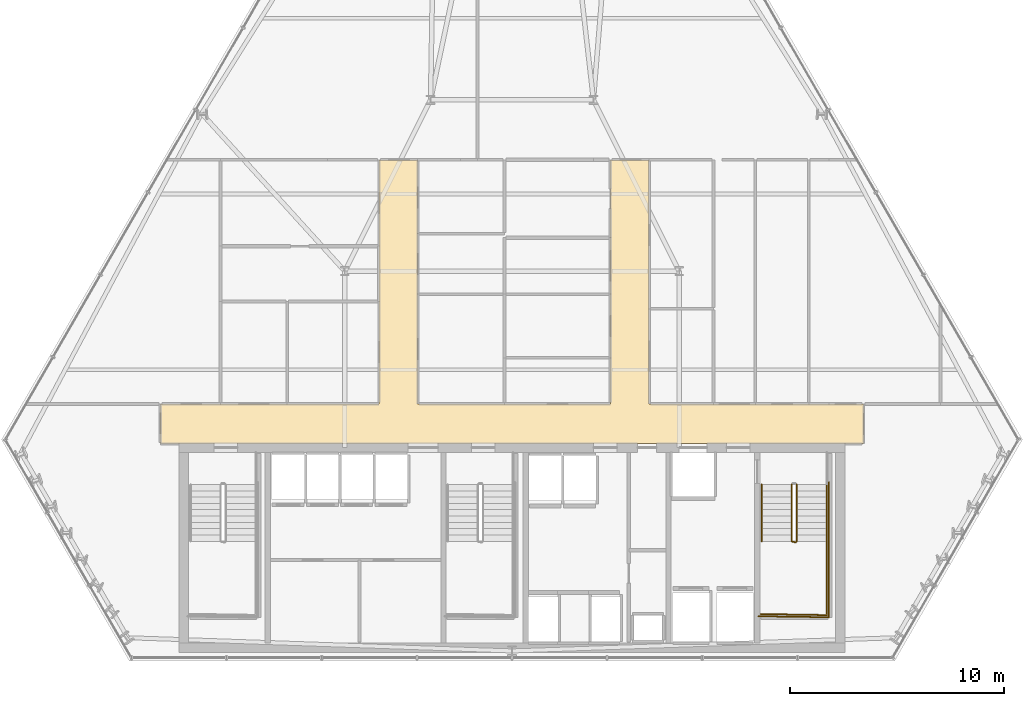
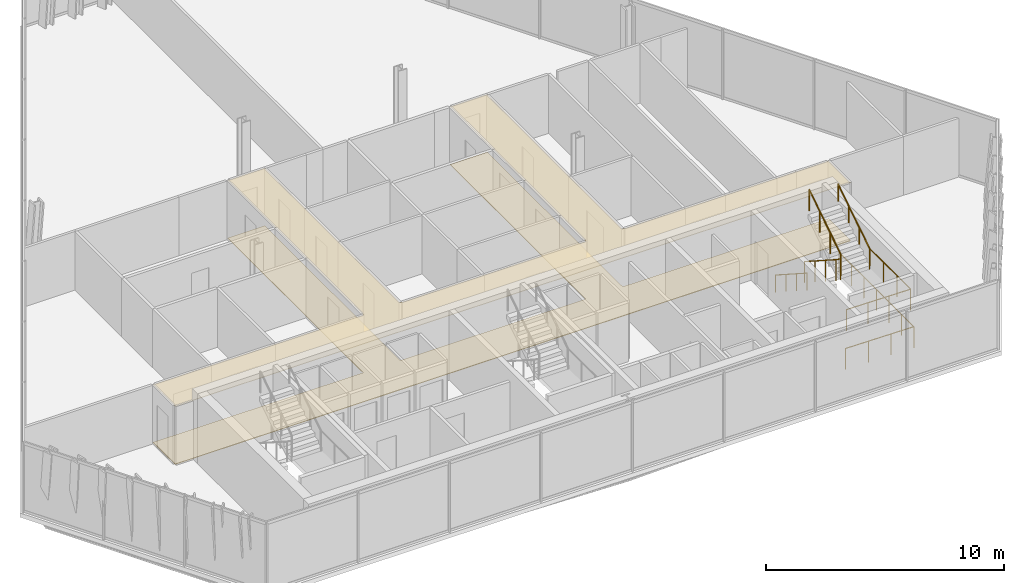
# One storey, part 30 of 31: 6 railings, 2 coverings.
"""IFC4 building model written with IfcOpenShell, lengths in metres."""

from ifc_helpers import new_model, si_unit, direction, frame, origin, origin_2d, place, context, subcontext, project, spatial, polyline, circle, outline, extrude, material, layer, layer_set, type_object, element, save


model = new_model("IFC4")

# Units and contexts
model_context = context("Model", 3, precision=1e-05, world=origin(), true_north=direction((0.0, 1.0)))
body_context = subcontext(model_context, "Body", "Model", "MODEL_VIEW")
ifc_project = project(units=[si_unit("LENGTHUNIT", "METRE"), si_unit("AREAUNIT", "SQUARE_METRE"), si_unit("VOLUMEUNIT", "CUBIC_METRE"), si_unit("PLANEANGLEUNIT", "RADIAN"), si_unit("MASSUNIT", "GRAM", prefix="KILO")], contexts=[model_context])

# Site, building, storey
site_placement = place(None, origin())
site = spatial("IfcSite", under=ifc_project, at=site_placement, CompositionType="ELEMENT")
building_placement = place(site_placement, origin())
building = spatial("IfcBuilding", under=site, at=building_placement, Name="Ndaravel Arena Tower", CompositionType="ELEMENT")
storey_placement = place(building_placement, frame((0.0, 0.0, 146.0)))
storey = spatial("IfcBuildingStorey", under=building, at=storey_placement, Name="L34", CompositionType="ELEMENT", Elevation=146.0)

# Coverings
ifc_material_1 = material(Name="Acoustic Ceiling Tile", Category="finish")
ifc_layer_1 = layer(ifc_material_1, 0.02490234375)
ifc_layer_set_1 = layer_set([ifc_layer_1], Name="Acoustic Ceiling Tile")
covering_type_1 = type_object("IfcCoveringType", Name="COV-CEIL-AC600", PredefinedType="CEILING", material=ifc_layer_set_1)
covering_1_placement = place(storey_placement, frame((0.0, 0.0, 2.98046875)))
element("IfcCovering", 1, at=covering_1_placement, inside=storey, type_object=covering_type_1, Name="L34 Corridor Acoustic Ceiling", PredefinedType="CEILING", context=body_context, shape_type="SweptSolid", body=[
    extrude(outline(polyline([(58.39990234375, 17.0), (48.39990234375, 17.0), (48.39990234375, 28.39990234375), (46.60009765625, 28.39990234375), (46.60009765625, 17.0), (37.60009765625, 17.0), (37.60009765625, 28.39990234375), (35.800048828125, 28.39990234375), (35.800048828125, 17.0), (25.60009765625, 17.0), (25.60009765625, 15.14990234375), (58.39990234375, 15.14990234375), (58.39990234375, 17.0)])), origin(), (0.0, 0.0, 1.0), 0.025146484375),
])
ifc_material_2 = material(Name="Terrazzo", Category="stone")
ifc_layer_2 = layer(ifc_material_2, 0.030029296875)
ifc_layer_set_2 = layer_set([ifc_layer_2], Name="Terrazzo")
covering_type_2 = type_object("IfcCoveringType", Name="COV-FLOOR-TERRAZZO", PredefinedType="FLOORING", material=ifc_layer_set_2)
covering_2_placement = place(storey_placement, origin())
element("IfcCovering", 2, at=covering_2_placement, inside=storey, type_object=covering_type_2, Name="L34 Corridor Terrazzo Flooring", PredefinedType="FLOORING", context=body_context, shape_type="SweptSolid", body=[
    extrude(outline(polyline([(58.39990234375, 17.0), (48.39990234375, 17.0), (48.39990234375, 28.39990234375), (46.60009765625, 28.39990234375), (46.60009765625, 17.0), (37.60009765625, 17.0), (37.60009765625, 28.39990234375), (35.800048828125, 28.39990234375), (35.800048828125, 17.0), (25.60009765625, 17.0), (25.60009765625, 15.14990234375), (58.39990234375, 15.14990234375), (58.39990234375, 17.0)])), origin(), (0.0, 0.0, 1.0), 0.030029296875),
])

# Railings
ifc_material_3 = material(Name="Steel S355", Category="steel")
ifc_layer_3 = layer(ifc_material_3, 0.06005859375)
ifc_layer_set_3 = layer_set([ifc_layer_3], Name="Steel S355")
railing_type_1 = type_object("IfcRailingType", Name="RAIL-STAIR-GD1100", PredefinedType="GUARDRAIL", material=ifc_layer_set_3)
railing_1_placement = place(storey_placement, frame((55.050048828125, 13.25, 0.18994140625)))
element("IfcRailing", 3, at=railing_1_placement, inside=storey, type_object=railing_type_1, Name="L34 ST-3 stair guard 1", PredefinedType="GUARDRAIL", context=body_context, shape_type="SweptSolid", body=[
    extrude(circle(Radius=0.02392578125, at=origin_2d()), frame((0.0, 0.0, 1.076171875), z_axis=(0.0, -0.840723540582, 0.54146461409), x_axis=(1.0, 0.0, 0.0)), (0.0, 0.0, 1.0), 3.157958984375),
    extrude(circle(Radius=0.02392578125, at=origin_2d()), frame((0.0, -2.655029296875, 2.7861328125), z_axis=(0.966993988697, -0.254799187253, 0.0), x_axis=(0.254799187253, 0.966993988697, 0.0)), (0.0, 0.0, 1.0), 0.196533203125),
    extrude(circle(Radius=0.02099609375, at=origin_2d()), origin(), (0.0, 0.0, 1.0), 1.052001953125),
    extrude(circle(Radius=0.02099609375, at=origin_2d()), frame((0.0, -0.885009765625, 0.570068359375)), (0.0, 0.0, 1.0), 1.052001953125),
    extrude(circle(Radius=0.02099609375, at=origin_2d()), frame((0.0, -1.77001953125, 1.139892578125)), (0.0, 0.0, 1.0), 1.052001953125),
    extrude(circle(Radius=0.02099609375, at=origin_2d()), frame((0.0, -2.655029296875, 1.7099609375)), (0.0, 0.0, 1.0), 1.052001953125),
    extrude(circle(Radius=0.02099609375, at=origin_2d()), frame((0.18994140625, -2.705078125, 1.7099609375)), (0.0, 0.0, 1.0), 1.052001953125),
])
railing_2_placement = place(storey_placement, frame((56.68994140625, 10.594970703125, 1.89990234375)))
element("IfcRailing", 4, at=railing_2_placement, inside=storey, type_object=railing_type_1, Name="L34 ST-3 stair guard 2", PredefinedType="GUARDRAIL", context=body_context, shape_type="SweptSolid", body=[
    extrude(circle(Radius=0.02392578125, at=origin_2d()), frame((0.0, 0.0, 1.076171875), z_axis=(0.0, -1.0, 0.0), x_axis=(1.0, 0.0, 0.0)), (0.0, 0.0, 1.0), 3.445068359375),
    extrude(circle(Radius=0.02392578125, at=origin_2d()), frame((0.0, -3.445068359375, 1.076171875), z_axis=(-0.999868840623, 0.016195726322, 0.0), x_axis=(-0.016195726322, -0.999868840623, 0.0)), (0.0, 0.0, 1.0), 3.09033203125),
    extrude(circle(Radius=0.02099609375, at=origin_2d()), origin(), (0.0, 0.0, 1.0), 1.052001953125),
    extrude(circle(Radius=0.02099609375, at=origin_2d()), frame((0.0, -1.1484375, 0.0)), (0.0, 0.0, 1.0), 1.052001953125),
    extrude(circle(Radius=0.02099609375, at=origin_2d()), frame((0.0, -2.296630859375, 0.0)), (0.0, 0.0, 1.0), 1.052001953125),
    extrude(circle(Radius=0.02099609375, at=origin_2d()), frame((0.0, -3.445068359375, 0.0)), (0.0, 0.0, 1.0), 1.052001953125),
    extrude(circle(Radius=0.02099609375, at=origin_2d()), frame((-1.030029296875, -3.428466796875, 0.0)), (0.0, 0.0, 1.0), 1.052001953125),
    extrude(circle(Radius=0.02099609375, at=origin_2d()), frame((-2.059814453125, -3.41162109375, 0.0)), (0.0, 0.0, 1.0), 1.052001953125),
    extrude(circle(Radius=0.02099609375, at=origin_2d()), frame((-3.08984375, -3.39501953125, 0.0)), (0.0, 0.0, 1.0), 1.052001953125),
])
railing_3_placement = place(storey_placement, frame((55.2900390625, 10.594970703125, 2.090087890625)))
element("IfcRailing", 5, at=railing_3_placement, inside=storey, type_object=railing_type_1, Name="L34 ST-3 stair guard 3", PredefinedType="GUARDRAIL", context=body_context, shape_type="SweptSolid", body=[
    extrude(circle(Radius=0.02392578125, at=origin_2d()), frame((0.0, 0.0, 1.076171875), z_axis=(0.0, 0.840723540582, 0.54146461409), x_axis=(-1.0, 0.0, 0.0)), (0.0, 0.0, 1.0), 3.157958984375),
    extrude(circle(Radius=0.02099609375, at=origin_2d()), origin(), (0.0, 0.0, 1.0), 1.052001953125),
    extrude(circle(Radius=0.02099609375, at=origin_2d()), frame((0.0, 0.885009765625, 0.570068359375)), (0.0, 0.0, 1.0), 1.052001953125),
    extrude(circle(Radius=0.02099609375, at=origin_2d()), frame((0.0, 1.77001953125, 1.139892578125)), (0.0, 0.0, 1.0), 1.052001953125),
    extrude(circle(Radius=0.02099609375, at=origin_2d()), frame((0.0, 2.655029296875, 1.7099609375)), (0.0, 0.0, 1.0), 1.052001953125),
])
railing_4_placement = place(storey_placement, frame((56.7900390625, 13.35009765625, 0.0)))
element("IfcRailing", 6, at=railing_4_placement, inside=storey, type_object=railing_type_1, Name="L34 ST-3 stair guard 6", PredefinedType="GUARDRAIL", context=body_context, shape_type="SweptSolid", body=[
    extrude(circle(Radius=0.02392578125, at=origin_2d()), frame((0.0, 0.0, 1.076171875), z_axis=(0.0, -1.0, 0.0), x_axis=(1.0, 0.0, 0.0)), (0.0, 0.0, 1.0), 6.300048828125),
    extrude(circle(Radius=0.02392578125, at=origin_2d()), frame((0.0, -6.300048828125, 1.076171875), z_axis=(-0.99988431412, 0.015210469308, 0.0), x_axis=(-0.015210469308, -0.99988431412, 0.0)), (0.0, 0.0, 1.0), 3.29052734375),
    extrude(circle(Radius=0.02099609375, at=origin_2d()), origin(), (0.0, 0.0, 1.0), 1.052001953125),
    extrude(circle(Radius=0.02099609375, at=origin_2d()), frame((0.0, -1.050048828125, 0.0)), (0.0, 0.0, 1.0), 1.052001953125),
    extrude(circle(Radius=0.02099609375, at=origin_2d()), frame((0.0, -2.10009765625, 0.0)), (0.0, 0.0, 1.0), 1.052001953125),
    extrude(circle(Radius=0.02099609375, at=origin_2d()), frame((0.0, -3.14990234375, 0.0)), (0.0, 0.0, 1.0), 1.052001953125),
    extrude(circle(Radius=0.02099609375, at=origin_2d()), frame((0.0, -4.199951171875, 0.0)), (0.0, 0.0, 1.0), 1.052001953125),
    extrude(circle(Radius=0.02099609375, at=origin_2d()), frame((0.0, -5.25, 0.0)), (0.0, 0.0, 1.0), 1.052001953125),
    extrude(circle(Radius=0.02099609375, at=origin_2d()), frame((0.0, -6.300048828125, 0.0)), (0.0, 0.0, 1.0), 1.052001953125),
    extrude(circle(Radius=0.02099609375, at=origin_2d()), frame((-1.0966796875, -6.283447265625, 0.0)), (0.0, 0.0, 1.0), 1.052001953125),
    extrude(circle(Radius=0.02099609375, at=origin_2d()), frame((-2.193359375, -6.2666015625, 0.0)), (0.0, 0.0, 1.0), 1.052001953125),
    extrude(circle(Radius=0.02099609375, at=origin_2d()), frame((-3.2900390625, -6.25, 0.0)), (0.0, 0.0, 1.0), 1.052001953125),
])
ifc_material_4 = material(Name="Steel S355", Category="steel")
ifc_layer_4 = layer(ifc_material_4, 0.050048828125)
ifc_layer_set_4 = layer_set([ifc_layer_4], Name="Steel S355")
railing_type_2 = type_object("IfcRailingType", Name="RAIL-STAIR-HR920", PredefinedType="HANDRAIL", material=ifc_layer_set_4)
railing_5_placement = place(storey_placement, frame((53.64990234375, 13.25, 0.18994140625)))
element("IfcRailing", 7, at=railing_5_placement, inside=storey, type_object=railing_type_2, Name="L34 ST-3 stair handrail 1", PredefinedType="HANDRAIL", context=body_context, shape_type="SweptSolid", body=[
    extrude(circle(Radius=0.02392578125, at=origin_2d()), frame((0.0, 0.0, 0.8759765625), z_axis=(0.0, -0.840723540582, 0.54146461409), x_axis=(1.0, 0.0, 0.0)), (0.0, 0.0, 1.0), 3.157958984375),
    extrude(circle(Radius=0.02099609375, at=origin_2d()), origin(), (0.0, 0.0, 1.0), 0.851806640625),
    extrude(circle(Radius=0.02099609375, at=origin_2d()), frame((0.0, -0.885009765625, 0.570068359375)), (0.0, 0.0, 1.0), 0.851806640625),
    extrude(circle(Radius=0.02099609375, at=origin_2d()), frame((0.0, -1.77001953125, 1.139892578125)), (0.0, 0.0, 1.0), 0.851806640625),
    extrude(circle(Radius=0.02099609375, at=origin_2d()), frame((0.0, -2.655029296875, 1.7099609375)), (0.0, 0.0, 1.0), 0.851806640625),
])
railing_6_placement = place(storey_placement, frame((56.68994140625, 10.594970703125, 2.090087890625)))
element("IfcRailing", 8, at=railing_6_placement, inside=storey, type_object=railing_type_2, Name="L34 ST-3 stair handrail 2", PredefinedType="HANDRAIL", context=body_context, shape_type="SweptSolid", body=[
    extrude(circle(Radius=0.02392578125, at=origin_2d()), frame((0.0, 0.0, 0.8759765625), z_axis=(0.0, 0.840723540582, 0.54146461409), x_axis=(-1.0, 0.0, 0.0)), (0.0, 0.0, 1.0), 3.157958984375),
    extrude(circle(Radius=0.02099609375, at=origin_2d()), origin(), (0.0, 0.0, 1.0), 0.851806640625),
    extrude(circle(Radius=0.02099609375, at=origin_2d()), frame((0.0, 0.885009765625, 0.570068359375)), (0.0, 0.0, 1.0), 0.851806640625),
    extrude(circle(Radius=0.02099609375, at=origin_2d()), frame((0.0, 1.77001953125, 1.139892578125)), (0.0, 0.0, 1.0), 0.851806640625),
    extrude(circle(Radius=0.02099609375, at=origin_2d()), frame((0.0, 2.655029296875, 1.7099609375)), (0.0, 0.0, 1.0), 0.851806640625),
])

save(model, "model.ifc")
